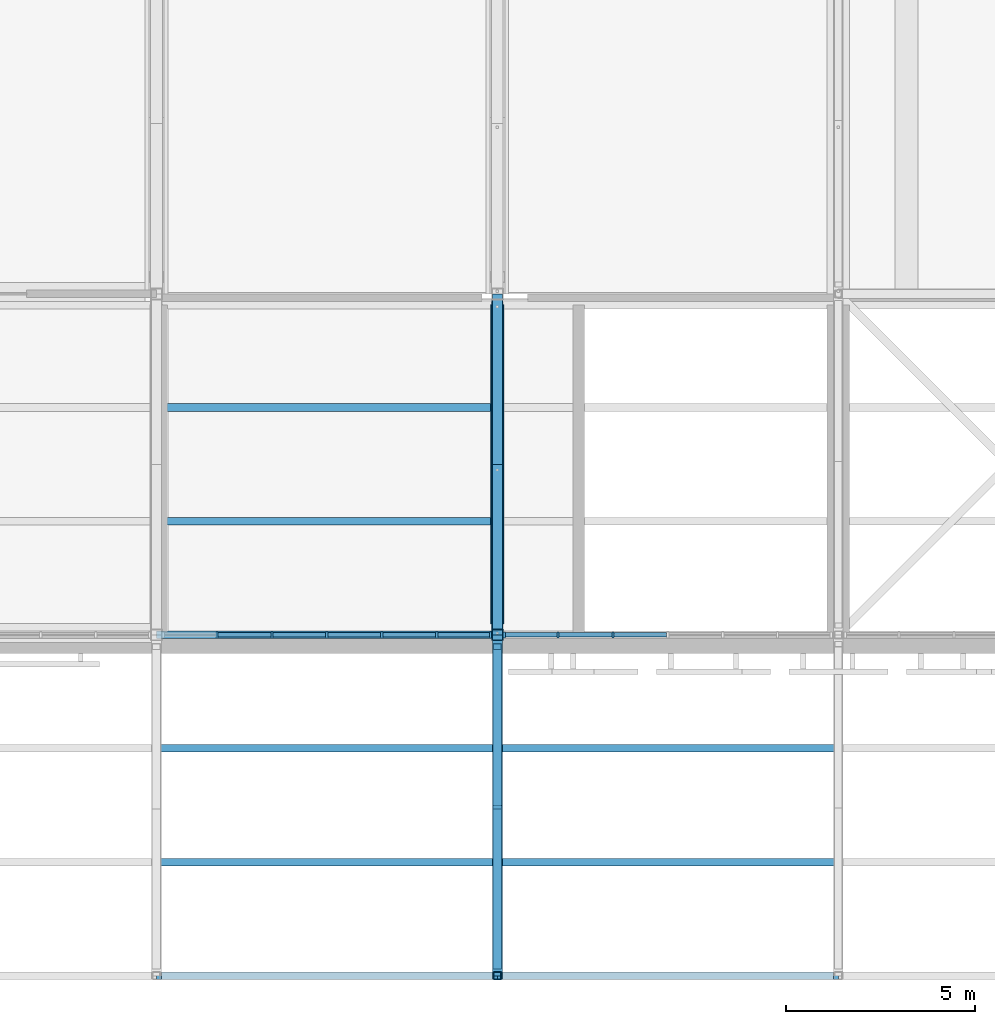
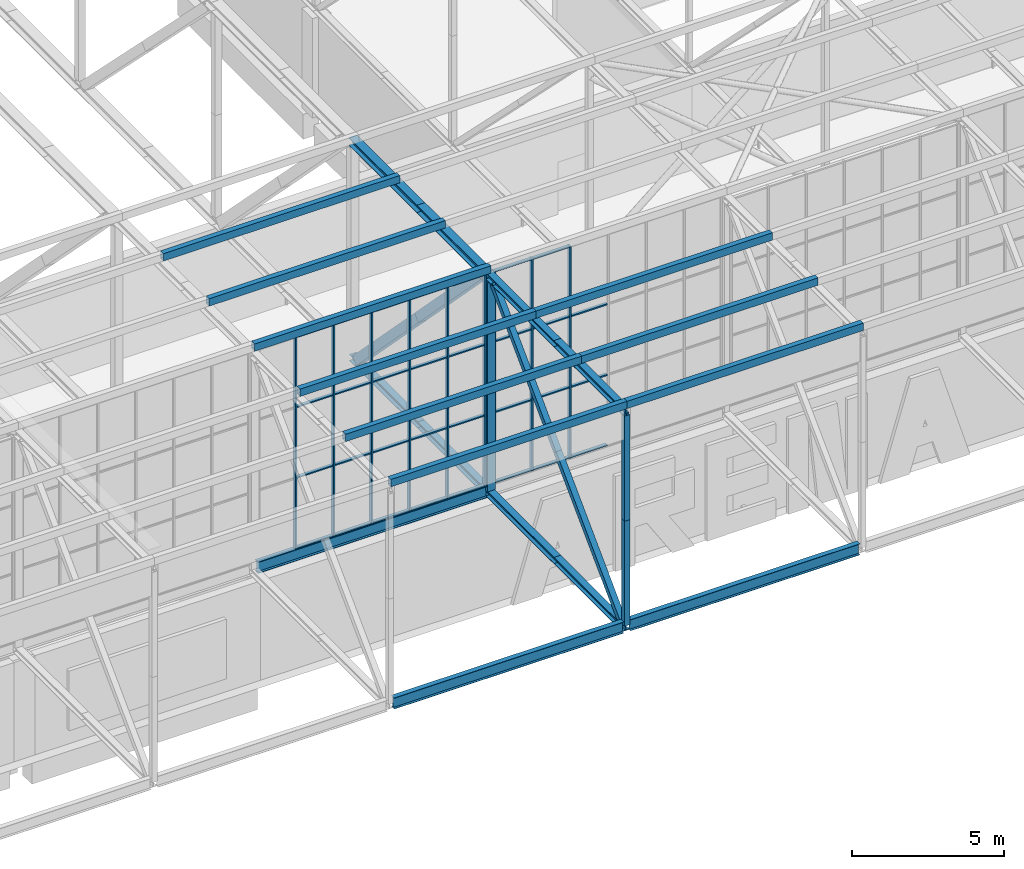
# One storey, part 37 of 646: 65 members, 3 beams, 2 elements without a shape of their own.
"""IFC4 building model written with IfcOpenShell, lengths in metres."""

from ifc_helpers import new_model, si_unit, direction, frame, origin, origin_2d, place, context, subcontext, project, spatial, rectangle, hollow_rectangle, i_section, extrude, material, material_profile, profile_set, type_object, element, aggregate, save


model = new_model("IFC4")

# Units and contexts
model_context = context("Model", 3, precision=1e-05, world=origin(), true_north=direction((0.0, 1.0)))
body_context = subcontext(model_context, "Body", "Model", "MODEL_VIEW")
ifc_project = project(units=[si_unit("LENGTHUNIT", "METRE"), si_unit("AREAUNIT", "SQUARE_METRE"), si_unit("VOLUMEUNIT", "CUBIC_METRE"), si_unit("PLANEANGLEUNIT", "RADIAN"), si_unit("MASSUNIT", "GRAM", prefix="KILO")], contexts=[model_context])

# Site, building, storey
site_placement = place(None, origin())
site = spatial("IfcSite", under=ifc_project, at=site_placement, CompositionType="ELEMENT")
building_placement = place(site_placement, origin())
building = spatial("IfcBuilding", under=site, at=building_placement, Name="Silverbay Arena", CompositionType="ELEMENT")
storey_placement = place(building_placement, frame((0.0, 0.0, 33.5)))
storey = spatial("IfcBuildingStorey", under=building, at=storey_placement, Name="L05", CompositionType="ELEMENT", Elevation=33.5)

# Members
ifc_material_1 = material(Name="Steel S355", Category="steel")
ifc_material_profile_1 = material_profile(ifc_material_1, i_section(OverallWidth=0.2587890625, OverallDepth=0.2666015625, WebThickness=0.0126953125, FlangeThickness=0.0205078125, at=origin_2d()), Name="UC 254x254x107")
ifc_profile_set_1 = profile_set([ifc_material_profile_1], Name="Steel S355")
member_type_1 = type_object("IfcMemberType", Name="Main-span bottom chord UC 254x254x107", PredefinedType="CHORD", material=ifc_profile_set_1)
for number, where, z_axis, x_axis, name in (
    (1, (153.0, 9.0, 4.13330078125), (0.0, 1.0, 0.0), (-1.0, 0.0, 0.0), "ROOF TRUSS 18 bottom chord 01a"),
    (2, (153.0, 13.5, 4.13330078125), (0.0, 1.0, 0.0), (-1.0, 0.0, 0.0), "ROOF TRUSS 18 bottom chord 01b"),
    (3, (153.0, 18.0, 4.13330078125), (0.0, 1.0, 0.0), (-1.0, 0.0, 0.0), "ROOF TRUSS 18 bottom chord 02a"),
    (4, (153.0, 22.5, 4.13330078125), (0.0, 1.0, 0.0), (-1.0, 0.0, 0.0), "ROOF TRUSS 18 bottom chord 02b"),
):
    element("IfcMember", number, at=place(storey_placement, frame(where, z_axis=z_axis, x_axis=x_axis)), inside=storey, type_object=member_type_1, Name=name, PredefinedType="CHORD", context=body_context, shape_type="SweptSolid", body=[
        extrude(i_section(OverallWidth=0.2587890625, OverallDepth=0.2666015625, WebThickness=0.0126953125, FlangeThickness=0.0205078125, at=origin_2d()), origin(), (0.0, 0.0, 1.0), 4.5),
    ])
ifc_material_2 = material(Name="Steel S355", Category="steel")
ifc_material_profile_2 = material_profile(ifc_material_2, i_section(OverallWidth=0.2587890625, OverallDepth=0.2666015625, WebThickness=0.0126953125, FlangeThickness=0.0205078125, at=origin_2d()), Name="UC 254x254x107")
ifc_profile_set_2 = profile_set([ifc_material_profile_2], Name="Steel S355")
member_type_2 = type_object("IfcMemberType", Name="Main-span top chord UC 254x254x107", PredefinedType="CHORD", material=ifc_profile_set_2)
for number, where, z_axis, x_axis, name in (
    (5, (153.0, 9.0, 12.86669921875), (0.0, 1.0, 0.0), (-1.0, 0.0, 0.0), "ROOF TRUSS 18 top chord 01a"),
    (6, (153.0, 13.5, 12.86669921875), (0.0, 1.0, 0.0), (-1.0, 0.0, 0.0), "ROOF TRUSS 18 top chord 01b"),
):
    element("IfcMember", number, at=place(storey_placement, frame(where, z_axis=z_axis, x_axis=x_axis)), inside=storey, type_object=member_type_2, Name=name, PredefinedType="CHORD", context=body_context, shape_type="SweptSolid", body=[
        extrude(i_section(OverallWidth=0.2587890625, OverallDepth=0.2666015625, WebThickness=0.0126953125, FlangeThickness=0.0205078125, at=origin_2d()), origin(), (0.0, 0.0, 1.0), 4.5),
    ])
ifc_material_3 = material(Name="Steel S355", Category="steel")
ifc_material_profile_3 = material_profile(ifc_material_3, i_section(OverallWidth=0.307373046875, OverallDepth=0.314453125, WebThickness=0.011962890625, FlangeThickness=0.018798828125, at=origin_2d()), Name="UC 305x305x118")
ifc_profile_set_3 = profile_set([ifc_material_profile_3], Name="Steel S355")
member_type_3 = type_object("IfcMemberType", Name="Main-span top chord UC 305x305x118", PredefinedType="CHORD", material=ifc_profile_set_3)
for number, where, z_axis, x_axis, name in (
    (7, (153.0, 18.0, 12.8427734375), (0.0, 1.0, 0.0), (-1.0, 0.0, 0.0), "ROOF TRUSS 18 top chord 02a"),
    (8, (153.0, 22.5, 12.8427734375), (0.0, 1.0, 0.0), (-1.0, 0.0, 0.0), "ROOF TRUSS 18 top chord 02b"),
):
    element("IfcMember", number, at=place(storey_placement, frame(where, z_axis=z_axis, x_axis=x_axis)), inside=storey, type_object=member_type_3, Name=name, PredefinedType="CHORD", context=body_context, shape_type="SweptSolid", body=[
        extrude(i_section(OverallWidth=0.307373046875, OverallDepth=0.314453125, WebThickness=0.011962890625, FlangeThickness=0.018798828125, at=origin_2d()), origin(), (0.0, 0.0, 1.0), 4.5),
    ])
ifc_material_4 = material(Name="Steel S355", Category="steel")
ifc_material_profile_4 = material_profile(ifc_material_4, hollow_rectangle(XDim=0.219970703125, YDim=0.219970703125, WallThickness=0.008056640625, at=origin_2d()), Name="SHS 220x220x8")
ifc_profile_set_4 = profile_set([ifc_material_profile_4], Name="Steel S355")
member_type_4 = type_object("IfcMemberType", Name="Main-span truss diagonal SHS 220x220x8", PredefinedType="BRACE", material=ifc_profile_set_4)
member_1_placement = place(storey_placement, frame((153.0, 17.689453125, 12.7333984375), z_axis=(0.0, -0.70551102507, -0.708698944196), x_axis=(1.0, 0.0, 0.0)))
element("IfcMember", 9, at=member_1_placement, inside=storey, type_object=member_type_4, Name="ROOF TRUSS 18 diagonal 01a", PredefinedType="BRACE", context=body_context, shape_type="SweptSolid", body=[
    extrude(hollow_rectangle(XDim=0.219970703125, YDim=0.219970703125, WallThickness=0.008056640625, at=origin_2d()), origin(), (0.0, 0.0, 1.0), 5.973388671875),
])
member_2_placement = place(storey_placement, frame((153.0, 13.47509765625, 8.5), z_axis=(0.0, -0.705531551692, -0.708678509317), x_axis=(1.0, 0.0, 0.0)))
element("IfcMember", 10, at=member_2_placement, inside=storey, type_object=member_type_4, Name="ROOF TRUSS 18 diagonal 01b", PredefinedType="BRACE", context=body_context, shape_type="SweptSolid", body=[
    extrude(hollow_rectangle(XDim=0.219970703125, YDim=0.219970703125, WallThickness=0.008056640625, at=origin_2d()), origin(), (0.0, 0.0, 1.0), 5.9736328125),
])
ifc_material_5 = material(Name="Steel S355", Category="steel")
ifc_material_profile_5 = material_profile(ifc_material_5, hollow_rectangle(XDim=0.35009765625, YDim=0.35009765625, WallThickness=0.01611328125, at=origin_2d()), Name="SHS 350x350x16")
ifc_profile_set_5 = profile_set([ifc_material_profile_5], Name="Steel S355")
member_type_5 = type_object("IfcMemberType", Name="Main-span truss diagonal SHS 350x350x16", PredefinedType="BRACE", material=ifc_profile_set_5)
for number, where, z_axis, x_axis, name in (
    (11, (153.0, 18.40625, 12.685546875), (0.0, 0.697184071327, -0.716892161129), (-1.0, 0.0, 0.0), "ROOF TRUSS 18 diagonal 02a"),
    (12, (153.0, 22.5, 8.47607421875), (0.0, 0.697184071327, -0.716892161129), (-1.0, 0.0, 0.0), "ROOF TRUSS 18 diagonal 02b"),
):
    element("IfcMember", number, at=place(storey_placement, frame(where, z_axis=z_axis, x_axis=x_axis)), inside=storey, type_object=member_type_5, Name=name, PredefinedType="BRACE", context=body_context, shape_type="SweptSolid", body=[
        extrude(hollow_rectangle(XDim=0.35009765625, YDim=0.35009765625, WallThickness=0.01611328125, at=origin_2d()), origin(), (0.0, 0.0, 1.0), 5.871826171875),
    ])
ifc_material_6 = material(Name="Steel S355", Category="steel")
ifc_material_profile_6 = material_profile(ifc_material_6, hollow_rectangle(XDim=0.199951171875, YDim=0.199951171875, WallThickness=0.008056640625, at=origin_2d()), Name="SHS 200x200x8")
ifc_profile_set_6 = profile_set([ifc_material_profile_6], Name="Steel S355")
member_type_6 = type_object("IfcMemberType", Name="Main-span truss vertical SHS 200x200x8", PredefinedType="STRUT", material=ifc_profile_set_6)
for number, where, z_axis, x_axis, name in (
    (13, (153.0, 9.0, 4.2666015625), (0.0, 0.0, 1.0), (1.0, 0.0, 0.0), "ROOF TRUSS 18 vertical 01a"),
    (14, (153.0, 9.0, 8.5), (0.0, 0.0, 1.0), (1.0, 0.0, 0.0), "ROOF TRUSS 18 vertical 01b"),
):
    element("IfcMember", number, at=place(storey_placement, frame(where, z_axis=z_axis, x_axis=x_axis)), inside=storey, type_object=member_type_6, Name=name, PredefinedType="STRUT", context=body_context, shape_type="SweptSolid", body=[
        extrude(hollow_rectangle(XDim=0.199951171875, YDim=0.199951171875, WallThickness=0.008056640625, at=origin_2d()), origin(), (0.0, 0.0, 1.0), 4.2333984375),
    ])
ifc_material_7 = material(Name="Steel S355", Category="steel")
ifc_material_profile_7 = material_profile(ifc_material_7, hollow_rectangle(XDim=0.300048828125, YDim=0.300048828125, WallThickness=0.012451171875, at=origin_2d()), Name="SHS 300x300x12.5")
ifc_profile_set_7 = profile_set([ifc_material_profile_7], Name="Steel S355")
member_type_7 = type_object("IfcMemberType", Name="Main-span truss vertical SHS 300x300x12.5", PredefinedType="STRUT", material=ifc_profile_set_7)
for number, where, z_axis, x_axis, name in (
    (15, (153.0, 18.0, 4.2666015625), (0.0, 0.0, 1.0), (1.0, 0.0, 0.0), "ROOF TRUSS 18 vertical 02a"),
    (16, (153.0, 18.0, 8.47607421875), (0.0, 0.0, 1.0), (1.0, 0.0, 0.0), "ROOF TRUSS 18 vertical 02b"),
):
    element("IfcMember", number, at=place(storey_placement, frame(where, z_axis=z_axis, x_axis=x_axis)), inside=storey, type_object=member_type_7, Name=name, PredefinedType="STRUT", context=body_context, shape_type="SweptSolid", body=[
        extrude(hollow_rectangle(XDim=0.300048828125, YDim=0.300048828125, WallThickness=0.012451171875, at=origin_2d()), origin(), (0.0, 0.0, 1.0), 4.20947265625),
    ])

# Curtain wall, members
ifc_material_8 = material(Name="Aluminium framed glazing", Category="aluminium")
curtain_wall_type = type_object("IfcCurtainWallType", Name="Curtain wall clerestory 8693 x 8540", PredefinedType="NOTDEFINED", material=ifc_material_8)
curtain_wall_1_placement = place(storey_placement, origin())
curtain_wall_1 = element("IfcCurtainWall", 17, at=curtain_wall_1_placement, inside=storey, type_object=curtain_wall_type, Name="ROOF CLERESTORY CURTAIN WALL south bay 11", PredefinedType="NOTDEFINED")
ifc_material_9 = material(Name="Aluminium", Category="aluminium")
ifc_material_profile_8 = material_profile(ifc_material_9, rectangle(XDim=0.159912109375, YDim=0.06005859375, at=origin_2d()), Name="Mullion 60 x 160")
ifc_profile_set_8 = profile_set([ifc_material_profile_8], Name="Aluminium")
member_type_8 = type_object("IfcMemberType", Name="Mullion 60 x 160", PredefinedType="MULLION", material=ifc_profile_set_8)
member_3_placement = place(storey_placement, frame((145.6025390625, 18.0, 4.4599609375), z_axis=(0.0, 0.0, 1.0), x_axis=(0.0, 1.0, 0.0)))
member_3 = element("IfcMember", 18, at=member_3_placement, type_object=member_type_8, Name="CW55 mullion 2", PredefinedType="MULLION", context=body_context, shape_type="SweptSolid", body=[
    extrude(rectangle(XDim=0.159912109375, YDim=0.06005859375, at=origin_2d()), origin(), (0.0, 0.0, 1.0), 8.5400390625),
])
member_4_placement = place(storey_placement, frame((147.05126953125, 18.0, 4.4599609375), z_axis=(0.0, 0.0, 1.0), x_axis=(0.0, 1.0, 0.0)))
member_4 = element("IfcMember", 19, at=member_4_placement, type_object=member_type_8, Name="CW55 mullion 3", PredefinedType="MULLION", context=body_context, shape_type="SweptSolid", body=[
    extrude(rectangle(XDim=0.159912109375, YDim=0.06005859375, at=origin_2d()), origin(), (0.0, 0.0, 1.0), 8.5400390625),
])
member_5_placement = place(storey_placement, frame((148.5, 18.0, 4.4599609375), z_axis=(0.0, 0.0, 1.0), x_axis=(0.0, 1.0, 0.0)))
member_5 = element("IfcMember", 20, at=member_5_placement, type_object=member_type_8, Name="CW55 mullion 4", PredefinedType="MULLION", context=body_context, shape_type="SweptSolid", body=[
    extrude(rectangle(XDim=0.159912109375, YDim=0.06005859375, at=origin_2d()), origin(), (0.0, 0.0, 1.0), 8.5400390625),
])
member_6_placement = place(storey_placement, frame((149.94873046875, 18.0, 4.4599609375), z_axis=(0.0, 0.0, 1.0), x_axis=(0.0, 1.0, 0.0)))
member_6 = element("IfcMember", 21, at=member_6_placement, type_object=member_type_8, Name="CW55 mullion 5", PredefinedType="MULLION", context=body_context, shape_type="SweptSolid", body=[
    extrude(rectangle(XDim=0.159912109375, YDim=0.06005859375, at=origin_2d()), origin(), (0.0, 0.0, 1.0), 8.5400390625),
])
member_7_placement = place(storey_placement, frame((151.3974609375, 18.0, 4.4599609375), z_axis=(0.0, 0.0, 1.0), x_axis=(0.0, 1.0, 0.0)))
member_7 = element("IfcMember", 22, at=member_7_placement, type_object=member_type_8, Name="CW55 mullion 6", PredefinedType="MULLION", context=body_context, shape_type="SweptSolid", body=[
    extrude(rectangle(XDim=0.159912109375, YDim=0.06005859375, at=origin_2d()), origin(), (0.0, 0.0, 1.0), 8.5400390625),
])
member_8_placement = place(storey_placement, frame((152.81640625, 18.0, 4.4599609375), z_axis=(0.0, 0.0, 1.0), x_axis=(0.0, 1.0, 0.0)))
member_8 = element("IfcMember", 23, at=member_8_placement, type_object=member_type_8, Name="CW55 mullion 7", PredefinedType="MULLION", context=body_context, shape_type="SweptSolid", body=[
    extrude(rectangle(XDim=0.159912109375, YDim=0.06005859375, at=origin_2d()), origin(), (0.0, 0.0, 1.0), 8.5400390625),
])

curtain_wall_2_placement = place(storey_placement, origin())
curtain_wall_2 = element("IfcCurtainWall", 24, at=curtain_wall_2_placement, inside=storey, type_object=curtain_wall_type, Name="ROOF CLERESTORY CURTAIN WALL south bay 12", PredefinedType="NOTDEFINED")
member_9_placement = place(storey_placement, frame((153.18359375, 18.0, 4.4599609375), z_axis=(0.0, 0.0, 1.0), x_axis=(0.0, 1.0, 0.0)))
member_9 = element("IfcMember", 25, at=member_9_placement, type_object=member_type_8, Name="CW55 mullion 1", PredefinedType="MULLION", context=body_context, shape_type="SweptSolid", body=[
    extrude(rectangle(XDim=0.159912109375, YDim=0.06005859375, at=origin_2d()), origin(), (0.0, 0.0, 1.0), 8.5400390625),
])
member_10_placement = place(storey_placement, frame((154.6025390625, 18.0, 4.4599609375), z_axis=(0.0, 0.0, 1.0), x_axis=(0.0, 1.0, 0.0)))
member_10 = element("IfcMember", 26, at=member_10_placement, type_object=member_type_8, Name="CW55 mullion 2", PredefinedType="MULLION", context=body_context, shape_type="SweptSolid", body=[
    extrude(rectangle(XDim=0.159912109375, YDim=0.06005859375, at=origin_2d()), origin(), (0.0, 0.0, 1.0), 8.5400390625),
])
member_11_placement = place(storey_placement, frame((156.05126953125, 18.0, 4.4599609375), z_axis=(0.0, 0.0, 1.0), x_axis=(0.0, 1.0, 0.0)))
member_11 = element("IfcMember", 27, at=member_11_placement, type_object=member_type_8, Name="CW55 mullion 3", PredefinedType="MULLION", context=body_context, shape_type="SweptSolid", body=[
    extrude(rectangle(XDim=0.159912109375, YDim=0.06005859375, at=origin_2d()), origin(), (0.0, 0.0, 1.0), 8.5400390625),
])

# Members
ifc_material_10 = material(Name="Steel S355", Category="steel")
ifc_material_profile_9 = material_profile(ifc_material_10, hollow_rectangle(XDim=0.199951171875, YDim=0.300048828125, WallThickness=0.00634765625, at=origin_2d()), Name="RHS 300x200x6.3")
ifc_profile_set_9 = profile_set([ifc_material_profile_9], Name="Steel S355")
member_type_9 = type_object("IfcMemberType", Name="Purlin RHS 300x200x6.3", PredefinedType="PURLIN", material=ifc_profile_set_9)
member_12_placement = place(storey_placement, frame((144.0, 24.0, 13.14990234375), z_axis=(1.0, 0.0, 0.0), x_axis=(0.0, 1.0, 0.0)))
element("IfcMember", 28, at=member_12_placement, inside=storey, type_object=member_type_9, Name="ROOF PURLIN 17-18 line 06", PredefinedType="PURLIN", context=body_context, shape_type="SweptSolid", body=[
    extrude(hollow_rectangle(XDim=0.199951171875, YDim=0.300048828125, WallThickness=0.00634765625, at=origin_2d()), origin(), (0.0, 0.0, 1.0), 9.0),
])
ifc_material_11 = material(Name="Steel S355", Category="steel")
ifc_material_profile_10 = material_profile(ifc_material_11, hollow_rectangle(XDim=0.199951171875, YDim=0.300048828125, WallThickness=0.008056640625, at=origin_2d()), Name="RHS 300x200x8")
ifc_profile_set_10 = profile_set([ifc_material_profile_10], Name="Steel S355")
member_type_10 = type_object("IfcMemberType", Name="Purlin RHS 300x200x8", PredefinedType="PURLIN", material=ifc_profile_set_10)
for number, where, z_axis, x_axis, name in (
    (29, (144.0, 9.0, 13.14990234375), (1.0, 0.0, 0.0), (0.0, 1.0, 0.0), "ROOF PURLIN 17-18 line 01"),
    (30, (144.0, 12.0, 13.14990234375), (1.0, 0.0, 0.0), (0.0, 1.0, 0.0), "ROOF PURLIN 17-18 line 02"),
    (31, (144.0, 15.0, 13.14990234375), (1.0, 0.0, 0.0), (0.0, 1.0, 0.0), "ROOF PURLIN 17-18 line 03"),
    (32, (144.0, 18.0, 13.14990234375), (1.0, 0.0, 0.0), (0.0, 1.0, 0.0), "ROOF PURLIN 17-18 line 04"),
    (33, (144.0, 21.0, 13.14990234375), (1.0, 0.0, 0.0), (0.0, 1.0, 0.0), "ROOF PURLIN 17-18 line 05"),
    (34, (153.0, 9.0, 13.14990234375), (1.0, 0.0, 0.0), (0.0, 1.0, 0.0), "ROOF PURLIN 18-19 line 01"),
    (35, (153.0, 12.0, 13.14990234375), (1.0, 0.0, 0.0), (0.0, 1.0, 0.0), "ROOF PURLIN 18-19 line 02"),
    (36, (153.0, 15.0, 13.14990234375), (1.0, 0.0, 0.0), (0.0, 1.0, 0.0), "ROOF PURLIN 18-19 line 03"),
):
    element("IfcMember", number, at=place(storey_placement, frame(where, z_axis=z_axis, x_axis=x_axis)), inside=storey, type_object=member_type_10, Name=name, PredefinedType="PURLIN", context=body_context, shape_type="SweptSolid", body=[
        extrude(hollow_rectangle(XDim=0.199951171875, YDim=0.300048828125, WallThickness=0.008056640625, at=origin_2d()), origin(), (0.0, 0.0, 1.0), 9.0),
    ])

# Beams
ifc_material_12 = material(Name="Steel S355", Category="steel")
ifc_material_profile_11 = material_profile(ifc_material_12, i_section(OverallWidth=0.18994140625, OverallDepth=0.453369140625, WebThickness=0.008544921875, FlangeThickness=0.0126953125, at=origin_2d()), Name="UB 457x191x67")
ifc_profile_set_11 = profile_set([ifc_material_profile_11], Name="Steel S355")
beam_type_1 = type_object("IfcBeamType", Name="Ring beam UB 457x191x67", PredefinedType="BEAM", material=ifc_profile_set_11)
beam_1_placement = place(storey_placement, frame((144.12939453125, 9.0, 4.226806640625), z_axis=(1.0, 0.0, 0.0), x_axis=(0.0, 1.0, 0.0)))
element("IfcBeam", 37, at=beam_1_placement, inside=storey, type_object=beam_type_1, Name="RING BEAM south edge 17-18", PredefinedType="BEAM", context=body_context, shape_type="SweptSolid", body=[
    extrude(i_section(OverallWidth=0.18994140625, OverallDepth=0.453369140625, WebThickness=0.008544921875, FlangeThickness=0.0126953125, at=origin_2d()), origin(), (0.0, 0.0, 1.0), 8.7412109375),
])
beam_2_placement = place(storey_placement, frame((153.12939453125, 9.0, 4.226806640625), z_axis=(1.0, 0.0, 0.0), x_axis=(0.0, 1.0, 0.0)))
element("IfcBeam", 38, at=beam_2_placement, inside=storey, type_object=beam_type_1, Name="RING BEAM south edge 18-19", PredefinedType="BEAM", context=body_context, shape_type="SweptSolid", body=[
    extrude(i_section(OverallWidth=0.18994140625, OverallDepth=0.453369140625, WebThickness=0.008544921875, FlangeThickness=0.0126953125, at=origin_2d()), origin(), (0.0, 0.0, 1.0), 8.743408203125),
])
ifc_material_13 = material(Name="Steel S355", Category="steel")
ifc_material_profile_12 = material_profile(ifc_material_13, i_section(OverallWidth=0.19140625, OverallDepth=0.4599609375, WebThickness=0.010009765625, FlangeThickness=0.01611328125, at=origin_2d()), Name="UB 457x191x82")
ifc_profile_set_12 = profile_set([ifc_material_profile_12], Name="Steel S355")
beam_type_2 = type_object("IfcBeamType", Name="Ring beam UB 457x191x82", PredefinedType="BEAM", material=ifc_profile_set_12)
beam_3_placement = place(storey_placement, frame((144.12939453125, 18.0, 4.22998046875), z_axis=(1.0, 0.0, 0.0), x_axis=(0.0, 1.0, 0.0)))
element("IfcBeam", 39, at=beam_3_placement, inside=storey, type_object=beam_type_2, Name="RING BEAM south facade 17-18", PredefinedType="BEAM", context=body_context, shape_type="SweptSolid", body=[
    extrude(i_section(OverallWidth=0.19140625, OverallDepth=0.4599609375, WebThickness=0.010009765625, FlangeThickness=0.01611328125, at=origin_2d()), origin(), (0.0, 0.0, 1.0), 8.7412109375),
])

# Member
ifc_material_14 = material(Name="Aluminium", Category="aluminium")
ifc_material_profile_13 = material_profile(ifc_material_14, rectangle(XDim=0.1201171875, YDim=0.050048828125, at=origin_2d()), Name="Transom 50 x 120")
ifc_profile_set_13 = profile_set([ifc_material_profile_13], Name="Aluminium")
member_type_11 = type_object("IfcMemberType", Name="Transom 50 x 120", PredefinedType="USERDEFINED", material=ifc_profile_set_13)
member_13_placement = place(storey_placement, frame((145.632568359375, 18.0, 4.485107421875), z_axis=(1.0, 0.0, 0.0), x_axis=(0.0, 1.0, 0.0)))
member_13 = element("IfcMember", 40, at=member_13_placement, type_object=member_type_11, Name="CW55 transom 2.1", ObjectType="TRANSOM", PredefinedType="USERDEFINED", context=body_context, shape_type="SweptSolid", body=[
    extrude(rectangle(XDim=0.1201171875, YDim=0.050048828125, at=origin_2d()), origin(), (0.0, 0.0, 1.0), 1.388671875),
])

member_14_placement = place(storey_placement, frame((145.632568359375, 18.0, 7.306640625), z_axis=(1.0, 0.0, 0.0), x_axis=(0.0, 1.0, 0.0)))
member_14 = element("IfcMember", 41, at=member_14_placement, type_object=member_type_11, Name="CW55 transom 2.2", ObjectType="TRANSOM", PredefinedType="USERDEFINED", context=body_context, shape_type="SweptSolid", body=[
    extrude(rectangle(XDim=0.1201171875, YDim=0.050048828125, at=origin_2d()), origin(), (0.0, 0.0, 1.0), 1.388671875),
])

member_15_placement = place(storey_placement, frame((145.632568359375, 18.0, 10.1533203125), z_axis=(1.0, 0.0, 0.0), x_axis=(0.0, 1.0, 0.0)))
member_15 = element("IfcMember", 42, at=member_15_placement, type_object=member_type_11, Name="CW55 transom 2.3", ObjectType="TRANSOM", PredefinedType="USERDEFINED", context=body_context, shape_type="SweptSolid", body=[
    extrude(rectangle(XDim=0.1201171875, YDim=0.050048828125, at=origin_2d()), origin(), (0.0, 0.0, 1.0), 1.388671875),
])

member_16_placement = place(storey_placement, frame((145.632568359375, 18.0, 12.97509765625), z_axis=(1.0, 0.0, 0.0), x_axis=(0.0, 1.0, 0.0)))
member_16 = element("IfcMember", 43, at=member_16_placement, type_object=member_type_11, Name="CW55 transom 2.4", ObjectType="TRANSOM", PredefinedType="USERDEFINED", context=body_context, shape_type="SweptSolid", body=[
    extrude(rectangle(XDim=0.1201171875, YDim=0.050048828125, at=origin_2d()), origin(), (0.0, 0.0, 1.0), 1.388671875),
])

member_17_placement = place(storey_placement, frame((147.081298828125, 18.0, 4.485107421875), z_axis=(1.0, 0.0, 0.0), x_axis=(0.0, 1.0, 0.0)))
member_17 = element("IfcMember", 44, at=member_17_placement, type_object=member_type_11, Name="CW55 transom 3.1", ObjectType="TRANSOM", PredefinedType="USERDEFINED", context=body_context, shape_type="SweptSolid", body=[
    extrude(rectangle(XDim=0.1201171875, YDim=0.050048828125, at=origin_2d()), origin(), (0.0, 0.0, 1.0), 1.388671875),
])

member_18_placement = place(storey_placement, frame((147.081298828125, 18.0, 7.306640625), z_axis=(1.0, 0.0, 0.0), x_axis=(0.0, 1.0, 0.0)))
member_18 = element("IfcMember", 45, at=member_18_placement, type_object=member_type_11, Name="CW55 transom 3.2", ObjectType="TRANSOM", PredefinedType="USERDEFINED", context=body_context, shape_type="SweptSolid", body=[
    extrude(rectangle(XDim=0.1201171875, YDim=0.050048828125, at=origin_2d()), origin(), (0.0, 0.0, 1.0), 1.388671875),
])

member_19_placement = place(storey_placement, frame((147.081298828125, 18.0, 10.1533203125), z_axis=(1.0, 0.0, 0.0), x_axis=(0.0, 1.0, 0.0)))
member_19 = element("IfcMember", 46, at=member_19_placement, type_object=member_type_11, Name="CW55 transom 3.3", ObjectType="TRANSOM", PredefinedType="USERDEFINED", context=body_context, shape_type="SweptSolid", body=[
    extrude(rectangle(XDim=0.1201171875, YDim=0.050048828125, at=origin_2d()), origin(), (0.0, 0.0, 1.0), 1.388671875),
])

member_20_placement = place(storey_placement, frame((147.081298828125, 18.0, 12.97509765625), z_axis=(1.0, 0.0, 0.0), x_axis=(0.0, 1.0, 0.0)))
member_20 = element("IfcMember", 47, at=member_20_placement, type_object=member_type_11, Name="CW55 transom 3.4", ObjectType="TRANSOM", PredefinedType="USERDEFINED", context=body_context, shape_type="SweptSolid", body=[
    extrude(rectangle(XDim=0.1201171875, YDim=0.050048828125, at=origin_2d()), origin(), (0.0, 0.0, 1.0), 1.388671875),
])

member_21_placement = place(storey_placement, frame((148.530029296875, 18.0, 4.485107421875), z_axis=(1.0, 0.0, 0.0), x_axis=(0.0, 1.0, 0.0)))
member_21 = element("IfcMember", 48, at=member_21_placement, type_object=member_type_11, Name="CW55 transom 4.1", ObjectType="TRANSOM", PredefinedType="USERDEFINED", context=body_context, shape_type="SweptSolid", body=[
    extrude(rectangle(XDim=0.1201171875, YDim=0.050048828125, at=origin_2d()), origin(), (0.0, 0.0, 1.0), 1.388671875),
])

member_22_placement = place(storey_placement, frame((148.530029296875, 18.0, 7.306640625), z_axis=(1.0, 0.0, 0.0), x_axis=(0.0, 1.0, 0.0)))
member_22 = element("IfcMember", 49, at=member_22_placement, type_object=member_type_11, Name="CW55 transom 4.2", ObjectType="TRANSOM", PredefinedType="USERDEFINED", context=body_context, shape_type="SweptSolid", body=[
    extrude(rectangle(XDim=0.1201171875, YDim=0.050048828125, at=origin_2d()), origin(), (0.0, 0.0, 1.0), 1.388671875),
])

member_23_placement = place(storey_placement, frame((148.530029296875, 18.0, 10.1533203125), z_axis=(1.0, 0.0, 0.0), x_axis=(0.0, 1.0, 0.0)))
member_23 = element("IfcMember", 50, at=member_23_placement, type_object=member_type_11, Name="CW55 transom 4.3", ObjectType="TRANSOM", PredefinedType="USERDEFINED", context=body_context, shape_type="SweptSolid", body=[
    extrude(rectangle(XDim=0.1201171875, YDim=0.050048828125, at=origin_2d()), origin(), (0.0, 0.0, 1.0), 1.388671875),
])

member_24_placement = place(storey_placement, frame((148.530029296875, 18.0, 12.97509765625), z_axis=(1.0, 0.0, 0.0), x_axis=(0.0, 1.0, 0.0)))
member_24 = element("IfcMember", 51, at=member_24_placement, type_object=member_type_11, Name="CW55 transom 4.4", ObjectType="TRANSOM", PredefinedType="USERDEFINED", context=body_context, shape_type="SweptSolid", body=[
    extrude(rectangle(XDim=0.1201171875, YDim=0.050048828125, at=origin_2d()), origin(), (0.0, 0.0, 1.0), 1.388671875),
])

member_25_placement = place(storey_placement, frame((149.978759765625, 18.0, 4.485107421875), z_axis=(1.0, 0.0, 0.0), x_axis=(0.0, 1.0, 0.0)))
member_25 = element("IfcMember", 52, at=member_25_placement, type_object=member_type_11, Name="CW55 transom 5.1", ObjectType="TRANSOM", PredefinedType="USERDEFINED", context=body_context, shape_type="SweptSolid", body=[
    extrude(rectangle(XDim=0.1201171875, YDim=0.050048828125, at=origin_2d()), origin(), (0.0, 0.0, 1.0), 1.388671875),
])

member_26_placement = place(storey_placement, frame((149.978759765625, 18.0, 7.306640625), z_axis=(1.0, 0.0, 0.0), x_axis=(0.0, 1.0, 0.0)))
member_26 = element("IfcMember", 53, at=member_26_placement, type_object=member_type_11, Name="CW55 transom 5.2", ObjectType="TRANSOM", PredefinedType="USERDEFINED", context=body_context, shape_type="SweptSolid", body=[
    extrude(rectangle(XDim=0.1201171875, YDim=0.050048828125, at=origin_2d()), origin(), (0.0, 0.0, 1.0), 1.388671875),
])

member_27_placement = place(storey_placement, frame((149.978759765625, 18.0, 10.1533203125), z_axis=(1.0, 0.0, 0.0), x_axis=(0.0, 1.0, 0.0)))
member_27 = element("IfcMember", 54, at=member_27_placement, type_object=member_type_11, Name="CW55 transom 5.3", ObjectType="TRANSOM", PredefinedType="USERDEFINED", context=body_context, shape_type="SweptSolid", body=[
    extrude(rectangle(XDim=0.1201171875, YDim=0.050048828125, at=origin_2d()), origin(), (0.0, 0.0, 1.0), 1.388671875),
])

member_28_placement = place(storey_placement, frame((149.978759765625, 18.0, 12.97509765625), z_axis=(1.0, 0.0, 0.0), x_axis=(0.0, 1.0, 0.0)))
member_28 = element("IfcMember", 55, at=member_28_placement, type_object=member_type_11, Name="CW55 transom 5.4", ObjectType="TRANSOM", PredefinedType="USERDEFINED", context=body_context, shape_type="SweptSolid", body=[
    extrude(rectangle(XDim=0.1201171875, YDim=0.050048828125, at=origin_2d()), origin(), (0.0, 0.0, 1.0), 1.388671875),
])

member_29_placement = place(storey_placement, frame((151.427490234375, 18.0, 4.485107421875), z_axis=(1.0, 0.0, 0.0), x_axis=(0.0, 1.0, 0.0)))
member_29 = element("IfcMember", 56, at=member_29_placement, type_object=member_type_11, Name="CW55 transom 6.1", ObjectType="TRANSOM", PredefinedType="USERDEFINED", context=body_context, shape_type="SweptSolid", body=[
    extrude(rectangle(XDim=0.1201171875, YDim=0.050048828125, at=origin_2d()), origin(), (0.0, 0.0, 1.0), 1.35888671875),
])

member_30_placement = place(storey_placement, frame((151.427490234375, 18.0, 7.306640625), z_axis=(1.0, 0.0, 0.0), x_axis=(0.0, 1.0, 0.0)))
member_30 = element("IfcMember", 57, at=member_30_placement, type_object=member_type_11, Name="CW55 transom 6.2", ObjectType="TRANSOM", PredefinedType="USERDEFINED", context=body_context, shape_type="SweptSolid", body=[
    extrude(rectangle(XDim=0.1201171875, YDim=0.050048828125, at=origin_2d()), origin(), (0.0, 0.0, 1.0), 1.35888671875),
])

member_31_placement = place(storey_placement, frame((151.427490234375, 18.0, 10.1533203125), z_axis=(1.0, 0.0, 0.0), x_axis=(0.0, 1.0, 0.0)))
member_31 = element("IfcMember", 58, at=member_31_placement, type_object=member_type_11, Name="CW55 transom 6.3", ObjectType="TRANSOM", PredefinedType="USERDEFINED", context=body_context, shape_type="SweptSolid", body=[
    extrude(rectangle(XDim=0.1201171875, YDim=0.050048828125, at=origin_2d()), origin(), (0.0, 0.0, 1.0), 1.35888671875),
])

member_32_placement = place(storey_placement, frame((151.427490234375, 18.0, 12.97509765625), z_axis=(1.0, 0.0, 0.0), x_axis=(0.0, 1.0, 0.0)))
member_32 = element("IfcMember", 59, at=member_32_placement, type_object=member_type_11, Name="CW55 transom 6.4", ObjectType="TRANSOM", PredefinedType="USERDEFINED", context=body_context, shape_type="SweptSolid", body=[
    extrude(rectangle(XDim=0.1201171875, YDim=0.050048828125, at=origin_2d()), origin(), (0.0, 0.0, 1.0), 1.35888671875),
])

aggregate(curtain_wall_1, [member_3, member_4, member_5, member_6, member_7, member_8, member_13, member_14, member_15, member_16, member_17, member_18, member_19, member_20, member_21, member_22, member_23, member_24, member_25, member_26, member_27, member_28, member_29, member_30, member_31, member_32])

member_33_placement = place(storey_placement, frame((153.213623046875, 18.0, 4.485107421875), z_axis=(1.0, 0.0, 0.0), x_axis=(0.0, 1.0, 0.0)))
member_33 = element("IfcMember", 60, at=member_33_placement, type_object=member_type_11, Name="CW55 transom 1.1", ObjectType="TRANSOM", PredefinedType="USERDEFINED", context=body_context, shape_type="SweptSolid", body=[
    extrude(rectangle(XDim=0.1201171875, YDim=0.050048828125, at=origin_2d()), origin(), (0.0, 0.0, 1.0), 1.35888671875),
])

member_34_placement = place(storey_placement, frame((153.213623046875, 18.0, 7.306640625), z_axis=(1.0, 0.0, 0.0), x_axis=(0.0, 1.0, 0.0)))
member_34 = element("IfcMember", 61, at=member_34_placement, type_object=member_type_11, Name="CW55 transom 1.2", ObjectType="TRANSOM", PredefinedType="USERDEFINED", context=body_context, shape_type="SweptSolid", body=[
    extrude(rectangle(XDim=0.1201171875, YDim=0.050048828125, at=origin_2d()), origin(), (0.0, 0.0, 1.0), 1.35888671875),
])

member_35_placement = place(storey_placement, frame((153.213623046875, 18.0, 10.1533203125), z_axis=(1.0, 0.0, 0.0), x_axis=(0.0, 1.0, 0.0)))
member_35 = element("IfcMember", 62, at=member_35_placement, type_object=member_type_11, Name="CW55 transom 1.3", ObjectType="TRANSOM", PredefinedType="USERDEFINED", context=body_context, shape_type="SweptSolid", body=[
    extrude(rectangle(XDim=0.1201171875, YDim=0.050048828125, at=origin_2d()), origin(), (0.0, 0.0, 1.0), 1.35888671875),
])

member_36_placement = place(storey_placement, frame((153.213623046875, 18.0, 12.97509765625), z_axis=(1.0, 0.0, 0.0), x_axis=(0.0, 1.0, 0.0)))
member_36 = element("IfcMember", 63, at=member_36_placement, type_object=member_type_11, Name="CW55 transom 1.4", ObjectType="TRANSOM", PredefinedType="USERDEFINED", context=body_context, shape_type="SweptSolid", body=[
    extrude(rectangle(XDim=0.1201171875, YDim=0.050048828125, at=origin_2d()), origin(), (0.0, 0.0, 1.0), 1.35888671875),
])

member_37_placement = place(storey_placement, frame((154.632568359375, 18.0, 4.485107421875), z_axis=(1.0, 0.0, 0.0), x_axis=(0.0, 1.0, 0.0)))
member_37 = element("IfcMember", 64, at=member_37_placement, type_object=member_type_11, Name="CW55 transom 2.1", ObjectType="TRANSOM", PredefinedType="USERDEFINED", context=body_context, shape_type="SweptSolid", body=[
    extrude(rectangle(XDim=0.1201171875, YDim=0.050048828125, at=origin_2d()), origin(), (0.0, 0.0, 1.0), 1.388671875),
])

member_38_placement = place(storey_placement, frame((154.632568359375, 18.0, 7.306640625), z_axis=(1.0, 0.0, 0.0), x_axis=(0.0, 1.0, 0.0)))
member_38 = element("IfcMember", 65, at=member_38_placement, type_object=member_type_11, Name="CW55 transom 2.2", ObjectType="TRANSOM", PredefinedType="USERDEFINED", context=body_context, shape_type="SweptSolid", body=[
    extrude(rectangle(XDim=0.1201171875, YDim=0.050048828125, at=origin_2d()), origin(), (0.0, 0.0, 1.0), 1.388671875),
])

member_39_placement = place(storey_placement, frame((154.632568359375, 18.0, 10.1533203125), z_axis=(1.0, 0.0, 0.0), x_axis=(0.0, 1.0, 0.0)))
member_39 = element("IfcMember", 66, at=member_39_placement, type_object=member_type_11, Name="CW55 transom 2.3", ObjectType="TRANSOM", PredefinedType="USERDEFINED", context=body_context, shape_type="SweptSolid", body=[
    extrude(rectangle(XDim=0.1201171875, YDim=0.050048828125, at=origin_2d()), origin(), (0.0, 0.0, 1.0), 1.388671875),
])

member_40_placement = place(storey_placement, frame((154.632568359375, 18.0, 12.97509765625), z_axis=(1.0, 0.0, 0.0), x_axis=(0.0, 1.0, 0.0)))
member_40 = element("IfcMember", 67, at=member_40_placement, type_object=member_type_11, Name="CW55 transom 2.4", ObjectType="TRANSOM", PredefinedType="USERDEFINED", context=body_context, shape_type="SweptSolid", body=[
    extrude(rectangle(XDim=0.1201171875, YDim=0.050048828125, at=origin_2d()), origin(), (0.0, 0.0, 1.0), 1.388671875),
])

member_41_placement = place(storey_placement, frame((156.081298828125, 18.0, 4.485107421875), z_axis=(1.0, 0.0, 0.0), x_axis=(0.0, 1.0, 0.0)))
member_41 = element("IfcMember", 68, at=member_41_placement, type_object=member_type_11, Name="CW55 transom 3.1", ObjectType="TRANSOM", PredefinedType="USERDEFINED", context=body_context, shape_type="SweptSolid", body=[
    extrude(rectangle(XDim=0.1201171875, YDim=0.050048828125, at=origin_2d()), origin(), (0.0, 0.0, 1.0), 1.388671875),
])

member_42_placement = place(storey_placement, frame((156.081298828125, 18.0, 7.306640625), z_axis=(1.0, 0.0, 0.0), x_axis=(0.0, 1.0, 0.0)))
member_42 = element("IfcMember", 69, at=member_42_placement, type_object=member_type_11, Name="CW55 transom 3.2", ObjectType="TRANSOM", PredefinedType="USERDEFINED", context=body_context, shape_type="SweptSolid", body=[
    extrude(rectangle(XDim=0.1201171875, YDim=0.050048828125, at=origin_2d()), origin(), (0.0, 0.0, 1.0), 1.388671875),
])

member_43_placement = place(storey_placement, frame((156.081298828125, 18.0, 10.1533203125), z_axis=(1.0, 0.0, 0.0), x_axis=(0.0, 1.0, 0.0)))
member_43 = element("IfcMember", 70, at=member_43_placement, type_object=member_type_11, Name="CW55 transom 3.3", ObjectType="TRANSOM", PredefinedType="USERDEFINED", context=body_context, shape_type="SweptSolid", body=[
    extrude(rectangle(XDim=0.1201171875, YDim=0.050048828125, at=origin_2d()), origin(), (0.0, 0.0, 1.0), 1.388671875),
])

aggregate(curtain_wall_2, [member_9, member_10, member_11, member_33, member_34, member_35, member_36, member_37, member_38, member_39, member_40, member_41, member_42, member_43])

save(model, "model.ifc")
